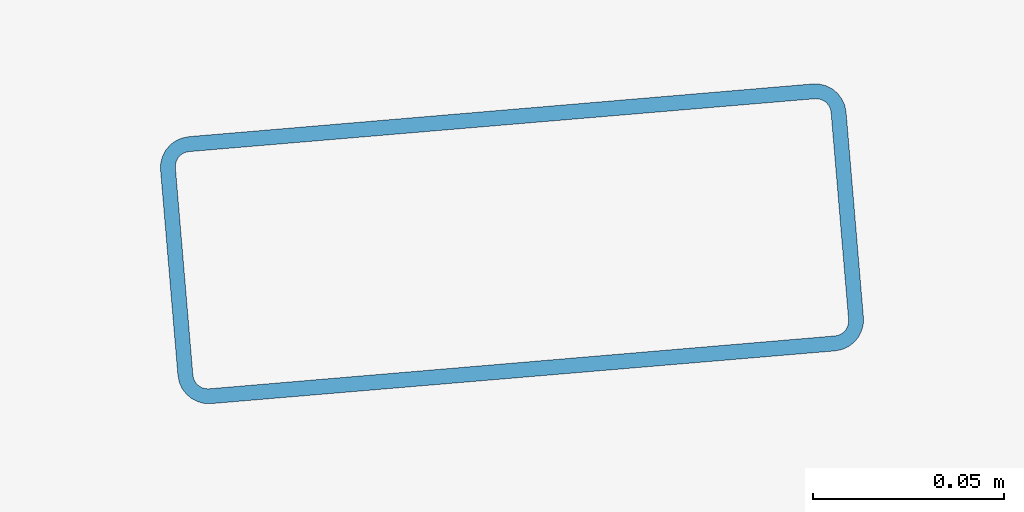
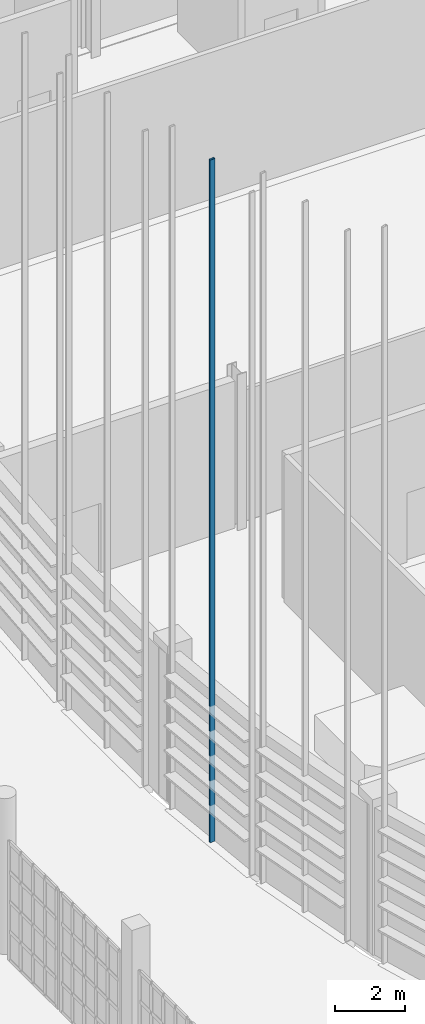
# One storey, part 77 of 372: 1 member.
"""IFC4 building model written with IfcOpenShell, lengths in metres."""

from ifc_helpers import new_model, si_unit, direction, frame, origin, origin_2d, place, context, subcontext, project, spatial, hollow_rectangle, extrude, material, material_profile, profile_set, type_object, element, save


model = new_model("IFC4")

# Units and contexts
model_context = context("Model", 3, precision=1e-05, world=origin(), true_north=direction((0.0, 1.0)))
body_context = subcontext(model_context, "Body", "Model", "MODEL_VIEW")
ifc_project = project(units=[si_unit("LENGTHUNIT", "METRE"), si_unit("AREAUNIT", "SQUARE_METRE"), si_unit("VOLUMEUNIT", "CUBIC_METRE"), si_unit("PLANEANGLEUNIT", "RADIAN"), si_unit("MASSUNIT", "GRAM", prefix="KILO")], contexts=[model_context])

# Site, building, storey
site_placement = place(None, origin())
site = spatial("IfcSite", under=ifc_project, at=site_placement, CompositionType="ELEMENT")
building_placement = place(site_placement, origin())
building = spatial("IfcBuilding", under=site, at=building_placement, Name="Kaelora Sail Theatre", CompositionType="ELEMENT")
storey_placement = place(building_placement, origin())
storey = spatial("IfcBuildingStorey", under=building, at=storey_placement, Name="L00", CompositionType="ELEMENT", Elevation=0.0)

# Member
ifc_material = material(Name="Anodised aluminium 6063-T6", Category="aluminium")
ifc_material_profile = material_profile(ifc_material, hollow_rectangle(XDim=0.070068359375, YDim=0.179931640625, WallThickness=0.00390625, InnerFilletRadius=0.00390625, OuterFilletRadius=0.008056640625, at=origin_2d()), Name="ALU-MULL 70x180x4")
ifc_profile_set = profile_set([ifc_material_profile], Name="Anodised aluminium 6063-T6")
member_type = type_object("IfcMemberType", Name="ARC-MEM-PST-160", PredefinedType="POST", material=ifc_profile_set)
member_placement = place(storey_placement, frame((25.436279296875, 47.770751953125, 0.0), z_axis=(0.0, 0.0, 1.0), x_axis=(-0.084199594279, 0.996448909038, 0.0)))
element("IfcMember", 1, at=member_placement, inside=storey, type_object=member_type, Name="Main Theatre Sail Drum solar louvre vertical support post C20-2", PredefinedType="POST", context=body_context, shape_type="SweptSolid", body=[
    extrude(hollow_rectangle(XDim=0.070068359375, YDim=0.179931640625, WallThickness=0.00390625, InnerFilletRadius=0.00390625, OuterFilletRadius=0.008056640625, at=origin_2d()), origin(), (0.0, 0.0, 1.0), 23.66259765625),
])

save(model, "model.ifc")
